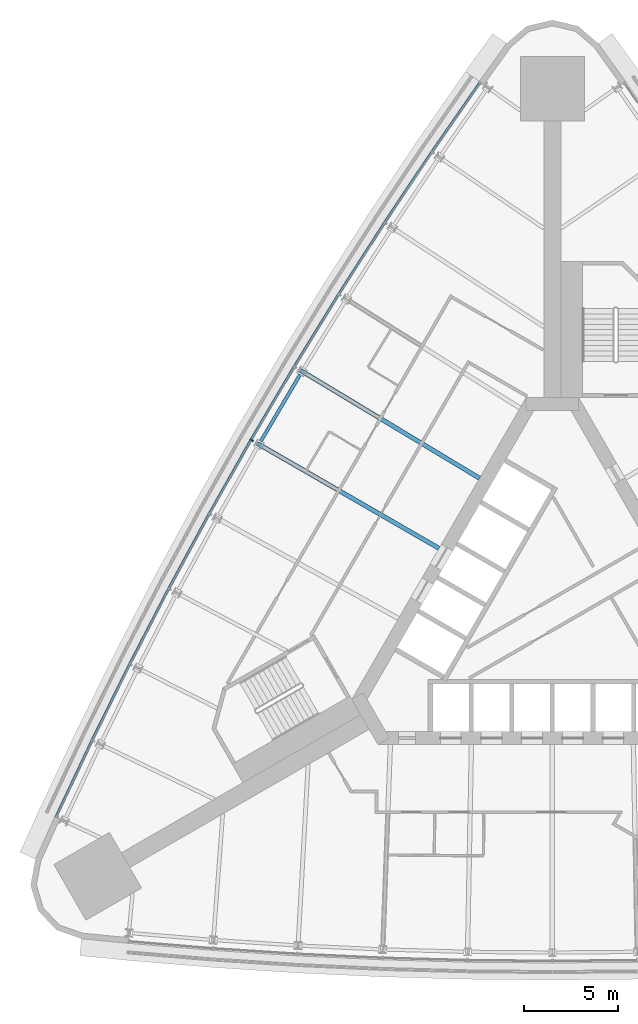
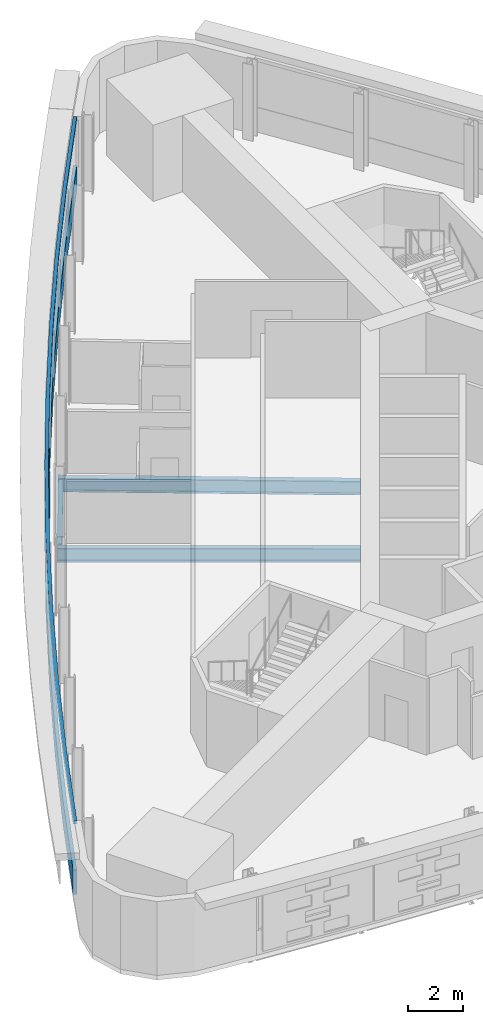
# One storey, part 5 of 15: 3 beams, 3 members, 1 element without a shape of its own.
"""IFC4 building model written with IfcOpenShell, lengths in metres."""

from ifc_helpers import new_model, si_unit, direction, frame, origin, origin_2d, place, context, subcontext, project, spatial, polyline, rectangle, i_section, outline, extrude, material, material_profile, profile_set, type_object, element, aggregate, save


model = new_model("IFC4")

# Units and contexts
model_context = context("Model", 3, precision=1e-05, world=origin(), true_north=direction((0.0, 1.0)))
body_context = subcontext(model_context, "Body", "Model", "MODEL_VIEW")
ifc_project = project(units=[si_unit("LENGTHUNIT", "METRE"), si_unit("AREAUNIT", "SQUARE_METRE"), si_unit("VOLUMEUNIT", "CUBIC_METRE"), si_unit("PLANEANGLEUNIT", "RADIAN"), si_unit("MASSUNIT", "GRAM", prefix="KILO")], contexts=[model_context])

# Site, building, storey
site_placement = place(None, origin())
site = spatial("IfcSite", under=ifc_project, at=site_placement, CompositionType="ELEMENT")
building_placement = place(site_placement, origin())
building = spatial("IfcBuilding", under=site, at=building_placement, Name="Noor Cloister Tower", CompositionType="ELEMENT")
storey_placement = place(building_placement, frame((0.0, 0.0, 27.60009765625)))
storey = spatial("IfcBuildingStorey", under=building, at=storey_placement, Name="L06", CompositionType="ELEMENT", Elevation=27.60009765625)

# Curtain wall, members
ifc_material_1 = material(Name="Aluminium 6063-T6 anodised", Category="aluminium")
curtain_wall_type = type_object("IfcCurtainWallType", Name="Ribbon curtain wall, lower tower CW1", PredefinedType="NOTDEFINED", material=ifc_material_1)
curtain_wall_placement = place(storey_placement, origin())
curtain_wall = element("IfcCurtainWall", 1, at=curtain_wall_placement, inside=storey, type_object=curtain_wall_type, Name="CW1 L06 NW run 1", PredefinedType="NOTDEFINED")
ifc_material_2 = material(Name="Aluminium 6063-T6 anodised", Category="aluminium")
member_type_1 = type_object("IfcMemberType", Name="Head transom CW1 150", PredefinedType="USERDEFINED", material=ifc_material_2)
member_1_placement = place(storey_placement, frame((0.0, 0.0, 3.14990234375)))
member_1 = element("IfcMember", 2, at=member_1_placement, type_object=member_type_1, Name="CW1 head transom", ObjectType="TRANSOM", PredefinedType="USERDEFINED", context=body_context, shape_type="SweptSolid", body=[
    extrude(outline(polyline([(-3.869873046875, 28.177734375), (-6.43701171875, 24.48193359375), (-8.93505859375, 20.739013671875), (-11.36328125, 16.950439453125), (-13.720947265625, 13.11767578125), (-16.0068359375, 9.24169921875), (-18.220703125, 5.32373046875), (-20.361328125, 1.36572265625), (-22.42822265625, -2.631591796875), (-24.42041015625, -6.66650390625), (-26.337646484375, -10.737548828125), (-26.2109375, -10.797119140625), (-24.29443359375, -6.727294921875), (-22.30322265625, -2.694580078125), (-20.237548828125, 1.30029296875), (-18.09814453125, 5.256103515625), (-15.8857421875, 9.171630859375), (-13.600830078125, 13.04541015625), (-11.244873046875, 16.8759765625), (-8.81787109375, 20.662353515625), (-6.3212890625, 24.403076171875), (-3.7548828125, 28.097900390625), (-3.869873046875, 28.177734375)])), origin(), (0.0, 0.0, 1.0), 0.14990234375),
])
ifc_material_3 = material(Name="Aluminium 6063-T6 anodised", Category="aluminium")
ifc_material_profile_1 = material_profile(ifc_material_3, rectangle(XDim=0.199951171875, YDim=0.080078125, at=origin_2d()), Name="200 x 80 mullion")
ifc_profile_set_1 = profile_set([ifc_material_profile_1], Name="Aluminium 6063-T6 anodised")
member_type_2 = type_object("IfcMemberType", Name="Mullion CW1 80 x 200", PredefinedType="MULLION", material=ifc_profile_set_1)
member_2_placement = place(storey_placement, frame((-15.920166015625, 9.191650390625, 1.099853515625), z_axis=(0.0, 0.0, 1.0), x_axis=(0.866025403784, -0.5, 0.0)))
member_2 = element("IfcMember", 3, at=member_2_placement, type_object=member_type_2, Name="CW1 mullion 6", PredefinedType="MULLION", context=body_context, shape_type="SweptSolid", body=[
    extrude(rectangle(XDim=0.199951171875, YDim=0.080078125, at=origin_2d()), origin(), (0.0, 0.0, 1.0), 2.050048828125),
])

# Beams
ifc_material_4 = material(Name="Steel ASTM A992 Gr 50", Category="steel")
ifc_material_profile_2 = material_profile(ifc_material_4, i_section(OverallWidth=0.22900390625, OverallDepth=0.612060546875, WebThickness=0.011962890625, FlangeThickness=0.01953125, FilletRadius=0.0126953125, at=origin_2d()), Name="W610x125")
ifc_profile_set_2 = profile_set([ifc_material_profile_2], Name="Steel ASTM A992 Gr 50")
beam_type_1 = type_object("IfcBeamType", Name="Radial beam W610x125", PredefinedType="BEAM", material=ifc_profile_set_2)
beam_1_placement = place(storey_placement, frame((-13.332763671875, 12.8837890625, -0.506103515625), z_axis=(0.856603654805, -0.515974978633, 0.0), x_axis=(0.515974978633, 0.856603654805, 0.0)))
element("IfcBeam", 4, at=beam_1_placement, inside=storey, type_object=beam_type_1, Name="Radial beam NW 05 L06", PredefinedType="BEAM", context=body_context, shape_type="SweptSolid", body=[
    extrude(i_section(OverallWidth=0.22900390625, OverallDepth=0.612060546875, WebThickness=0.011962890625, FlangeThickness=0.01953125, FilletRadius=0.0126953125, at=origin_2d()), origin(), (0.0, 0.0, 1.0), 11.06201171875),
])
beam_2_placement = place(storey_placement, frame((-15.614501953125, 9.01513671875, -0.506103515625), z_axis=(0.86602188956, -0.500006086766, 0.0), x_axis=(0.500006086766, 0.86602188956, 0.0)))
element("IfcBeam", 5, at=beam_2_placement, inside=storey, type_object=beam_type_1, Name="Radial beam NW 06 L06", PredefinedType="BEAM", context=body_context, shape_type="SweptSolid", body=[
    extrude(i_section(OverallWidth=0.22900390625, OverallDepth=0.612060546875, WebThickness=0.011962890625, FlangeThickness=0.01953125, FilletRadius=0.0126953125, at=origin_2d()), origin(), (0.0, 0.0, 1.0), 11.101806640625),
])

# Member
ifc_material_5 = material(Name="Aluminium 6063-T6 anodised", Category="aluminium")
member_type_3 = type_object("IfcMemberType", Name="Sill transom CW1 1100", PredefinedType="USERDEFINED", material=ifc_material_5)
member_3_placement = place(storey_placement, origin())
member_3 = element("IfcMember", 6, at=member_3_placement, type_object=member_type_3, Name="CW1 sill transom", ObjectType="TRANSOM", PredefinedType="USERDEFINED", context=body_context, shape_type="SweptSolid", body=[
    extrude(outline(polyline([(-3.869873046875, 28.177734375), (-6.43701171875, 24.48193359375), (-8.93505859375, 20.739013671875), (-11.36328125, 16.950439453125), (-13.720947265625, 13.11767578125), (-16.0068359375, 9.24169921875), (-18.220703125, 5.32373046875), (-20.361328125, 1.36572265625), (-22.42822265625, -2.631591796875), (-24.42041015625, -6.66650390625), (-26.337646484375, -10.737548828125), (-26.2109375, -10.797119140625), (-24.29443359375, -6.727294921875), (-22.30322265625, -2.694580078125), (-20.237548828125, 1.30029296875), (-18.09814453125, 5.256103515625), (-15.8857421875, 9.171630859375), (-13.600830078125, 13.04541015625), (-11.244873046875, 16.8759765625), (-8.81787109375, 20.662353515625), (-6.3212890625, 24.403076171875), (-3.7548828125, 28.097900390625), (-3.869873046875, 28.177734375)])), origin(), (0.0, 0.0, 1.0), 1.099853515625),
])

aggregate(curtain_wall, [member_2, member_3, member_1])

# Beam
ifc_material_6 = material(Name="Steel ASTM A992 Gr 50", Category="steel")
ifc_material_profile_3 = material_profile(ifc_material_6, i_section(OverallWidth=0.177978515625, OverallDepth=0.406005859375, WebThickness=0.0078125, FlangeThickness=0.0126953125, FilletRadius=0.01025390625, at=origin_2d()), Name="W410x60")
ifc_profile_set_3 = profile_set([ifc_material_profile_3], Name="Steel ASTM A992 Gr 50")
beam_type_2 = type_object("IfcBeamType", Name="Spandrel beam W410x60", PredefinedType="SPANDREL", material=ifc_profile_set_3)
beam_3_placement = place(storey_placement, frame((-13.352294921875, 12.659912109375, -0.403076171875), z_axis=(-0.508022532874, -0.861343779273, 0.0), x_axis=(0.861343779273, -0.508022532874, 0.0)))
element("IfcBeam", 7, at=beam_3_placement, inside=storey, type_object=beam_type_2, Name="Spandrel beam NW 05 L06", PredefinedType="SPANDREL", context=body_context, shape_type="SweptSolid", body=[
    extrude(i_section(OverallWidth=0.177978515625, OverallDepth=0.406005859375, WebThickness=0.0078125, FlangeThickness=0.0126953125, FilletRadius=0.01025390625, at=origin_2d()), origin(), (0.0, 0.0, 1.0), 4.085693359375),
])

save(model, "model.ifc")
